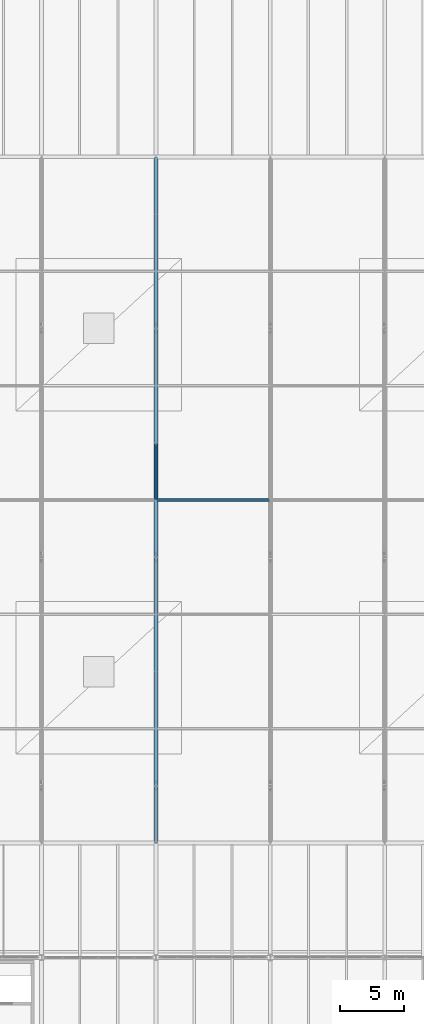
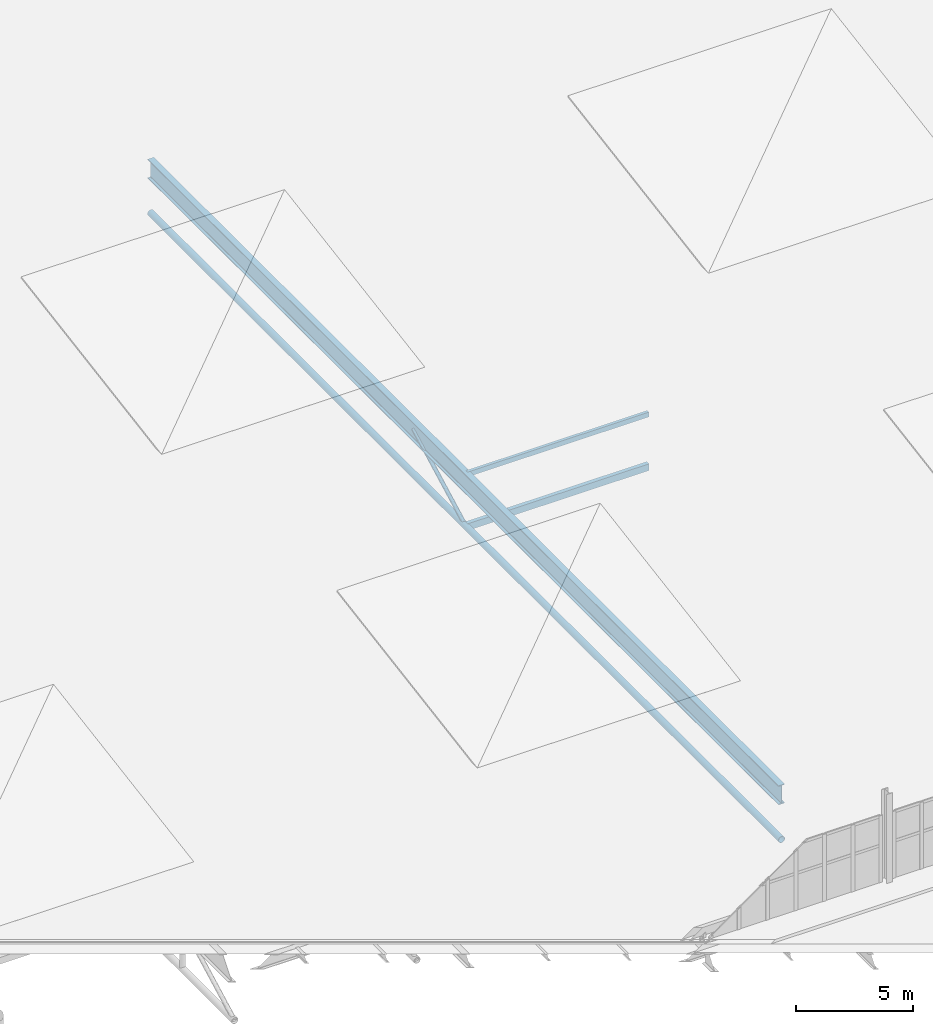
# One storey, part 77 of 196: 4 members, 1 beam.
"""IFC4 building model written with IfcOpenShell, lengths in metres."""

from ifc_helpers import new_model, si_unit, direction, frame, origin, origin_2d, place, context, subcontext, project, spatial, hollow_rectangle, hollow_circle, i_section, extrude, material, material_profile, profile_set, type_object, element, save


model = new_model("IFC4")

# Units and contexts
model_context = context("Model", 3, precision=1e-05, world=origin(), true_north=direction((0.0, 1.0)))
body_context = subcontext(model_context, "Body", "Model", "MODEL_VIEW")
ifc_project = project(units=[si_unit("LENGTHUNIT", "METRE"), si_unit("AREAUNIT", "SQUARE_METRE"), si_unit("VOLUMEUNIT", "CUBIC_METRE"), si_unit("PLANEANGLEUNIT", "RADIAN"), si_unit("MASSUNIT", "GRAM", prefix="KILO")], contexts=[model_context])

# Site, building, storey
site_placement = place(None, origin())
site = spatial("IfcSite", under=ifc_project, at=site_placement, CompositionType="ELEMENT")
building_placement = place(site_placement, origin())
building = spatial("IfcBuilding", under=site, at=building_placement, Name="Barlavento Convention Centre", CompositionType="ELEMENT")
storey_placement = place(building_placement, frame((0.0, 0.0, 18.0)))
storey = spatial("IfcBuildingStorey", under=building, at=storey_placement, Name="L03", CompositionType="ELEMENT", Elevation=18.0)

# Beam
ifc_material_1 = material(Name="Steel S460", Category="steel")
ifc_material_profile_1 = material_profile(ifc_material_1, i_section(OverallWidth=0.300048828125, OverallDepth=1.0, WebThickness=0.01904296875, FlangeThickness=0.035888671875, FilletRadius=0.030029296875, at=origin_2d()), Name="HEB 1000")
ifc_profile_set_1 = profile_set([ifc_material_profile_1], Name="Steel S460")
beam_type = type_object("IfcBeamType", Name="STR-BM-EXH-HEB1000", PredefinedType="BEAM", material=ifc_profile_set_1)
beam_placement = place(storey_placement, frame((81.0, 63.02001953125, -0.844970703125), z_axis=(0.0, 1.0, 0.0), x_axis=(-1.0, 0.0, 0.0)))
element("IfcBeam", 1, at=beam_placement, inside=storey, type_object=beam_type, Name="Exhibition roof space frame top girder", PredefinedType="BEAM", context=body_context, shape_type="SweptSolid", body=[
    extrude(i_section(OverallWidth=0.300048828125, OverallDepth=1.0, WebThickness=0.01904296875, FlangeThickness=0.035888671875, FilletRadius=0.030029296875, at=origin_2d()), origin(), (0.0, 0.0, 1.0), 53.9599609375),
])

# Members
ifc_material_2 = material(Name="Steel S355", Category="steel")
ifc_material_profile_2 = material_profile(ifc_material_2, hollow_circle(Radius=0.161865234375, WallThickness=0.01611328125, at=origin_2d()), Name="CHS 323.9x16.0")
ifc_profile_set_2 = profile_set([ifc_material_profile_2], Name="Steel S355")
member_type_1 = type_object("IfcMemberType", Name="STR-MEM-CHD-CHS323", PredefinedType="CHORD", material=ifc_profile_set_2)
member_1_placement = place(storey_placement, frame((81.0, 63.02001953125, -3.199951171875), z_axis=(0.0, 1.0, 0.0), x_axis=(-1.0, 0.0, 0.0)))
element("IfcMember", 2, at=member_1_placement, inside=storey, type_object=member_type_1, Name="Exhibition space frame bottom chord TC02", PredefinedType="CHORD", context=body_context, shape_type="SweptSolid", body=[
    extrude(hollow_circle(Radius=0.161865234375, WallThickness=0.01611328125, at=origin_2d()), origin(), (0.0, 0.0, 1.0), 53.9599609375),
])
ifc_material_profile_3 = material_profile(ifc_material_2, hollow_rectangle(XDim=0.199951171875, YDim=0.35009765625, WallThickness=0.012451171875, at=origin_2d()), Name="RHS 350x200x12.5")
ifc_profile_set_3 = profile_set([ifc_material_profile_3], Name="Steel S355")
member_type_2 = type_object("IfcMemberType", Name="STR-MEM-COL-RHS350", PredefinedType="COLLAR", material=ifc_profile_set_3)
member_2_placement = place(storey_placement, frame((81.02001953125, 90.0, -3.199951171875), z_axis=(1.0, 0.0, 0.0), x_axis=(0.0, 1.0, 0.0)))
element("IfcMember", 3, at=member_2_placement, inside=storey, type_object=member_type_2, Name="Exhibition space frame transverse chord", PredefinedType="COLLAR", context=body_context, shape_type="SweptSolid", body=[
    extrude(hollow_rectangle(XDim=0.199951171875, YDim=0.35009765625, WallThickness=0.012451171875, at=origin_2d()), origin(), (0.0, 0.0, 1.0), 8.9599609375),
])
ifc_material_profile_4 = material_profile(ifc_material_2, hollow_circle(Radius=0.096923828125, WallThickness=0.010009765625, at=origin_2d()), Name="CHS 193.7x10.0")
ifc_profile_set_4 = profile_set([ifc_material_profile_4], Name="Steel S355")
member_type_3 = type_object("IfcMemberType", Name="STR-MEM-DIAG-CHS193", PredefinedType="RAFTER", material=ifc_profile_set_4)
member_3_placement = place(storey_placement, frame((81.0, 90.050048828125, -3.199951171875), z_axis=(0.0, 0.883859857229, 0.467751806816), x_axis=(-1.0, 0.0, 0.0)))
element("IfcMember", 4, at=member_3_placement, inside=storey, type_object=member_type_3, Name="Exhibition space frame web diagonal", PredefinedType="RAFTER", context=body_context, shape_type="SweptSolid", body=[
    extrude(hollow_circle(Radius=0.096923828125, WallThickness=0.010009765625, at=origin_2d()), origin(), (0.0, 0.0, 1.0), 5.03466796875),
])
ifc_material_profile_5 = material_profile(ifc_material_2, hollow_rectangle(XDim=0.14990234375, YDim=0.25, WallThickness=0.010009765625, at=origin_2d()), Name="RHS 250x150x10.0")
ifc_profile_set_5 = profile_set([ifc_material_profile_5], Name="Steel S355")
member_type_4 = type_object("IfcMemberType", Name="STR-MEM-PUR-RHS250", PredefinedType="PURLIN", material=ifc_profile_set_5)
member_4_placement = place(storey_placement, frame((81.02001953125, 90.0, -0.469970703125), z_axis=(1.0, 0.0, 0.0), x_axis=(0.0, 1.0, 0.0)))
element("IfcMember", 5, at=member_4_placement, inside=storey, type_object=member_type_4, Name="Exhibition roof purlin", PredefinedType="PURLIN", context=body_context, shape_type="SweptSolid", body=[
    extrude(hollow_rectangle(XDim=0.14990234375, YDim=0.25, WallThickness=0.010009765625, at=origin_2d()), origin(), (0.0, 0.0, 1.0), 8.9599609375),
])

save(model, "model.ifc")
